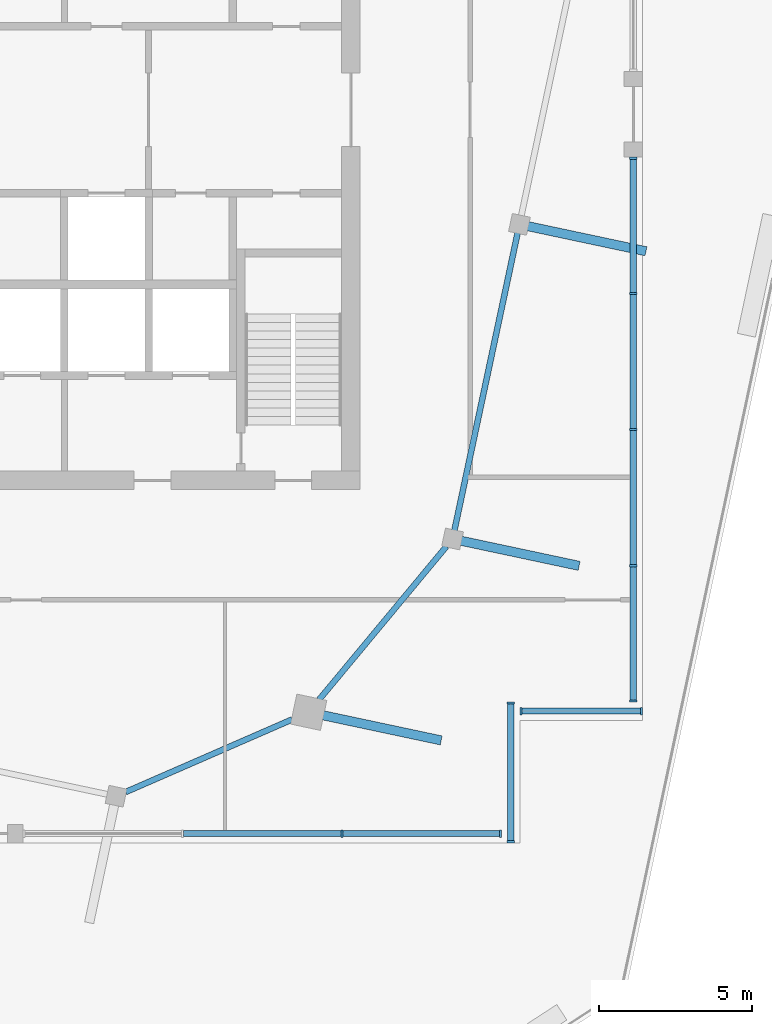
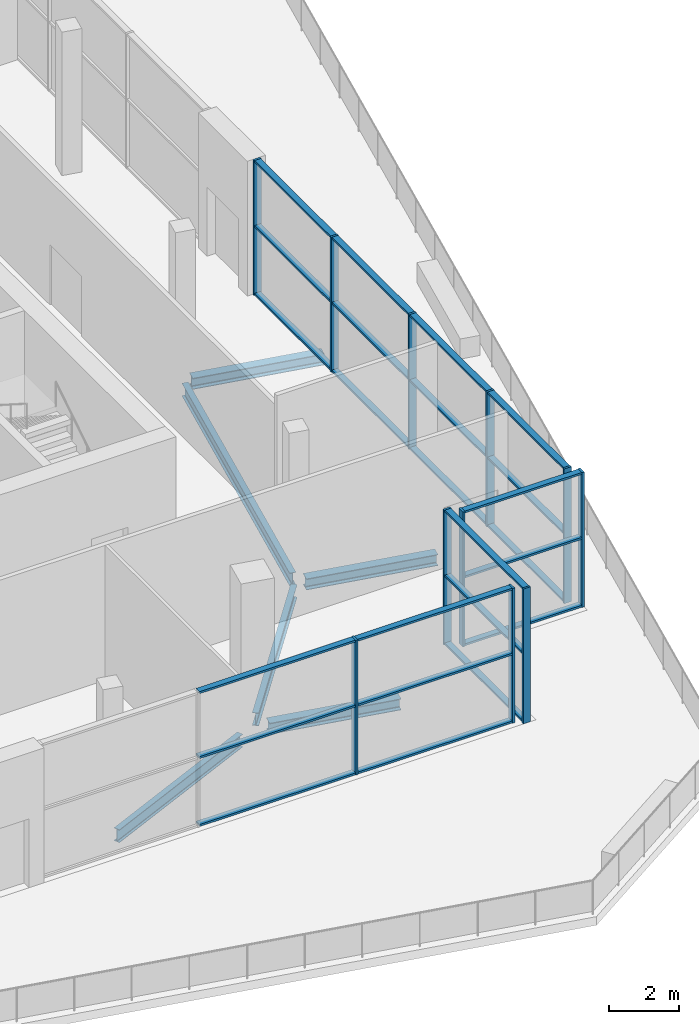
# One storey, part 3 of 14: 35 members, 6 beams, 4 elements without a shape of their own.
"""IFC4 building model written with IfcOpenShell, lengths in metres."""

from ifc_helpers import new_model, si_unit, direction, frame, origin, origin_2d, place, context, subcontext, project, spatial, rectangle, i_section, extrude, material, material_profile, profile_set, type_object, element, aggregate, save


model = new_model("IFC4")

# Units and contexts
model_context = context("Model", 3, precision=1e-05, world=origin(), true_north=direction((0.0, 1.0)))
body_context = subcontext(model_context, "Body", "Model", "MODEL_VIEW")
ifc_project = project(units=[si_unit("LENGTHUNIT", "METRE"), si_unit("AREAUNIT", "SQUARE_METRE"), si_unit("VOLUMEUNIT", "CUBIC_METRE"), si_unit("PLANEANGLEUNIT", "RADIAN"), si_unit("MASSUNIT", "GRAM", prefix="KILO")], contexts=[model_context])

# Site, building, storey
site_placement = place(None, origin())
site = spatial("IfcSite", under=ifc_project, at=site_placement, CompositionType="ELEMENT")
building_placement = place(site_placement, origin())
building = spatial("IfcBuilding", under=site, at=building_placement, Name="Dilmun Exchange Tower", CompositionType="ELEMENT")
storey_placement = place(building_placement, frame((0.0, 0.0, 368.10009765625)))
storey = spatial("IfcBuildingStorey", under=building, at=storey_placement, Name="Crown L86", CompositionType="ELEMENT", Elevation=368.10009765625)

# Curtain wall, members
ifc_material_1 = material(Name="Anodised aluminium and clear glass", Category="aluminium")
curtain_wall_type = type_object("IfcCurtainWallType", Name="Observation lounge glazing", PredefinedType="NOTDEFINED", material=ifc_material_1)
curtain_wall_1_placement = place(storey_placement, origin())
curtain_wall_1 = element("IfcCurtainWall", 1, at=curtain_wall_1_placement, inside=storey, type_object=curtain_wall_type, Name="Observation lounge glazing run OL9.E", PredefinedType="NOTDEFINED")
ifc_material_2 = material(Name="Anodised aluminium", Category="aluminium")
ifc_material_profile_1 = material_profile(ifc_material_2, rectangle(XDim=0.239990234375, YDim=0.070068359375, at=origin_2d()), Name="AL 70x240")
ifc_profile_set_1 = profile_set([ifc_material_profile_1], Name="Anodised aluminium")
member_type_1 = type_object("IfcMemberType", Name="Observation lounge glazing mullion 70 x 240", PredefinedType="MULLION", material=ifc_profile_set_1)
member_1_placement = place(storey_placement, frame((11.815673828125, -23.63427734375, 0.0), z_axis=(0.0, 0.0, 1.0), x_axis=(0.0, 1.0, 0.0)))
member_1 = element("IfcMember", 2, at=member_1_placement, type_object=member_type_1, Name="OL9.E mullion 3", PredefinedType="MULLION", context=body_context, shape_type="SweptSolid", body=[
    extrude(rectangle(XDim=0.239990234375, YDim=0.070068359375, at=origin_2d()), origin(), (0.0, 0.0, 1.0), 4.699951171875),
])
member_2_placement = place(storey_placement, frame((16.988525390625, -23.63427734375, 0.0), z_axis=(0.0, 0.0, 1.0), x_axis=(0.0, 1.0, 0.0)))
member_2 = element("IfcMember", 3, at=member_2_placement, type_object=member_type_1, Name="OL9.E mullion 4", PredefinedType="MULLION", context=body_context, shape_type="SweptSolid", body=[
    extrude(rectangle(XDim=0.239990234375, YDim=0.070068359375, at=origin_2d()), origin(), (0.0, 0.0, 1.0), 4.699951171875),
])

curtain_wall_2_placement = place(storey_placement, origin())
curtain_wall_2 = element("IfcCurtainWall", 4, at=curtain_wall_2_placement, inside=storey, type_object=curtain_wall_type, Name="Observation lounge glazing run OL10", PredefinedType="NOTDEFINED")
member_3_placement = place(storey_placement, frame((17.323486328125, -23.899169921875, 0.0), z_axis=(0.0, 0.0, 1.0), x_axis=(-1.0, 0.0, 0.0)))
member_3 = element("IfcMember", 5, at=member_3_placement, type_object=member_type_1, Name="OL10 mullion 1", PredefinedType="MULLION", context=body_context, shape_type="SweptSolid", body=[
    extrude(rectangle(XDim=0.239990234375, YDim=0.070068359375, at=origin_2d()), origin(), (0.0, 0.0, 1.0), 4.699951171875),
])
member_4_placement = place(storey_placement, frame((17.323486328125, -19.369140625, 0.0), z_axis=(0.0, 0.0, 1.0), x_axis=(-1.0, 0.0, 0.0)))
member_4 = element("IfcMember", 6, at=member_4_placement, type_object=member_type_1, Name="OL10 mullion 2", PredefinedType="MULLION", context=body_context, shape_type="SweptSolid", body=[
    extrude(rectangle(XDim=0.239990234375, YDim=0.070068359375, at=origin_2d()), origin(), (0.0, 0.0, 1.0), 4.699951171875),
])

curtain_wall_3_placement = place(storey_placement, origin())
curtain_wall_3 = element("IfcCurtainWall", 7, at=curtain_wall_3_placement, inside=storey, type_object=curtain_wall_type, Name="Observation lounge glazing run OL11", PredefinedType="NOTDEFINED")
member_5_placement = place(storey_placement, frame((17.658447265625, -19.63427734375, 0.0), z_axis=(0.0, 0.0, 1.0), x_axis=(0.0, 1.0, 0.0)))
member_5 = element("IfcMember", 8, at=member_5_placement, type_object=member_type_1, Name="OL11 mullion 1", PredefinedType="MULLION", context=body_context, shape_type="SweptSolid", body=[
    extrude(rectangle(XDim=0.239990234375, YDim=0.070068359375, at=origin_2d()), origin(), (0.0, 0.0, 1.0), 4.699951171875),
])
member_6_placement = place(storey_placement, frame((21.58837890625, -19.63427734375, 0.0), z_axis=(0.0, 0.0, 1.0), x_axis=(0.0, 1.0, 0.0)))
member_6 = element("IfcMember", 9, at=member_6_placement, type_object=member_type_1, Name="OL11 mullion 2", PredefinedType="MULLION", context=body_context, shape_type="SweptSolid", body=[
    extrude(rectangle(XDim=0.239990234375, YDim=0.070068359375, at=origin_2d()), origin(), (0.0, 0.0, 1.0), 4.699951171875),
])

curtain_wall_4_placement = place(storey_placement, origin())
curtain_wall_4 = element("IfcCurtainWall", 10, at=curtain_wall_4_placement, inside=storey, type_object=curtain_wall_type, Name="Observation lounge glazing run OL12.1", PredefinedType="NOTDEFINED")
member_7_placement = place(storey_placement, frame((21.323486328125, -19.29931640625, 0.0), z_axis=(0.0, 0.0, 1.0), x_axis=(-1.0, 0.0, 0.0)))
member_7 = element("IfcMember", 11, at=member_7_placement, type_object=member_type_1, Name="OL12.1 mullion 1", PredefinedType="MULLION", context=body_context, shape_type="SweptSolid", body=[
    extrude(rectangle(XDim=0.239990234375, YDim=0.070068359375, at=origin_2d()), origin(), (0.0, 0.0, 1.0), 4.699951171875),
])
member_8_placement = place(storey_placement, frame((21.323486328125, -14.887451171875, 0.0), z_axis=(0.0, 0.0, 1.0), x_axis=(-1.0, 0.0, 0.0)))
member_8 = element("IfcMember", 12, at=member_8_placement, type_object=member_type_1, Name="OL12.1 mullion 2", PredefinedType="MULLION", context=body_context, shape_type="SweptSolid", body=[
    extrude(rectangle(XDim=0.239990234375, YDim=0.070068359375, at=origin_2d()), origin(), (0.0, 0.0, 1.0), 4.699951171875),
])
member_9_placement = place(storey_placement, frame((21.323486328125, -10.440673828125, 0.0), z_axis=(0.0, 0.0, 1.0), x_axis=(-1.0, 0.0, 0.0)))
member_9 = element("IfcMember", 13, at=member_9_placement, type_object=member_type_1, Name="OL12.1 mullion 3", PredefinedType="MULLION", context=body_context, shape_type="SweptSolid", body=[
    extrude(rectangle(XDim=0.239990234375, YDim=0.070068359375, at=origin_2d()), origin(), (0.0, 0.0, 1.0), 4.699951171875),
])
member_10_placement = place(storey_placement, frame((21.323486328125, -5.993896484375, 0.0), z_axis=(0.0, 0.0, 1.0), x_axis=(-1.0, 0.0, 0.0)))
member_10 = element("IfcMember", 14, at=member_10_placement, type_object=member_type_1, Name="OL12.1 mullion 4", PredefinedType="MULLION", context=body_context, shape_type="SweptSolid", body=[
    extrude(rectangle(XDim=0.239990234375, YDim=0.070068359375, at=origin_2d()), origin(), (0.0, 0.0, 1.0), 4.699951171875),
])
member_11_placement = place(storey_placement, frame((21.323486328125, -1.58203125, 0.0), z_axis=(0.0, 0.0, 1.0), x_axis=(-1.0, 0.0, 0.0)))
member_11 = element("IfcMember", 15, at=member_11_placement, type_object=member_type_1, Name="OL12.1 mullion 5", PredefinedType="MULLION", context=body_context, shape_type="SweptSolid", body=[
    extrude(rectangle(XDim=0.239990234375, YDim=0.070068359375, at=origin_2d()), origin(), (0.0, 0.0, 1.0), 4.699951171875),
])

# Member
ifc_material_profile_2 = material_profile(ifc_material_2, rectangle(XDim=0.199951171875, YDim=0.070068359375, at=origin_2d()), Name="AL 70x200")
ifc_profile_set_2 = profile_set([ifc_material_profile_2], Name="Anodised aluminium")
member_type_2 = type_object("IfcMemberType", Name="Observation lounge glazing transom 70 x 200", PredefinedType="USERDEFINED", material=ifc_profile_set_2)
member_12_placement = place(storey_placement, frame((6.642822265625, -23.63427734375, 0.034912109375), z_axis=(1.0, 0.0, 0.0), x_axis=(0.0, 1.0, 0.0)))
member_12 = element("IfcMember", 16, at=member_12_placement, type_object=member_type_2, Name="OL9.E transom 2.1", ObjectType="TRANSOM", PredefinedType="USERDEFINED", context=body_context, shape_type="SweptSolid", body=[
    extrude(rectangle(XDim=0.199951171875, YDim=0.070068359375, at=origin_2d()), origin(), (0.0, 0.0, 1.0), 5.137939453125),
])

member_13_placement = place(storey_placement, frame((6.642822265625, -23.63427734375, 2.39990234375), z_axis=(1.0, 0.0, 0.0), x_axis=(0.0, 1.0, 0.0)))
member_13 = element("IfcMember", 17, at=member_13_placement, type_object=member_type_2, Name="OL9.E transom 2.2", ObjectType="TRANSOM", PredefinedType="USERDEFINED", context=body_context, shape_type="SweptSolid", body=[
    extrude(rectangle(XDim=0.199951171875, YDim=0.070068359375, at=origin_2d()), origin(), (0.0, 0.0, 1.0), 5.137939453125),
])

member_14_placement = place(storey_placement, frame((6.642822265625, -23.63427734375, 4.664794921875), z_axis=(1.0, 0.0, 0.0), x_axis=(0.0, 1.0, 0.0)))
member_14 = element("IfcMember", 18, at=member_14_placement, type_object=member_type_2, Name="OL9.E transom 2.3", ObjectType="TRANSOM", PredefinedType="USERDEFINED", context=body_context, shape_type="SweptSolid", body=[
    extrude(rectangle(XDim=0.199951171875, YDim=0.070068359375, at=origin_2d()), origin(), (0.0, 0.0, 1.0), 5.137939453125),
])

member_15_placement = place(storey_placement, frame((11.8505859375, -23.63427734375, 0.034912109375), z_axis=(1.0, 0.0, 0.0), x_axis=(0.0, 1.0, 0.0)))
member_15 = element("IfcMember", 19, at=member_15_placement, type_object=member_type_2, Name="OL9.E transom 3.1", ObjectType="TRANSOM", PredefinedType="USERDEFINED", context=body_context, shape_type="SweptSolid", body=[
    extrude(rectangle(XDim=0.199951171875, YDim=0.070068359375, at=origin_2d()), origin(), (0.0, 0.0, 1.0), 5.10302734375),
])

member_16_placement = place(storey_placement, frame((11.8505859375, -23.63427734375, 2.39990234375), z_axis=(1.0, 0.0, 0.0), x_axis=(0.0, 1.0, 0.0)))
member_16 = element("IfcMember", 20, at=member_16_placement, type_object=member_type_2, Name="OL9.E transom 3.2", ObjectType="TRANSOM", PredefinedType="USERDEFINED", context=body_context, shape_type="SweptSolid", body=[
    extrude(rectangle(XDim=0.199951171875, YDim=0.070068359375, at=origin_2d()), origin(), (0.0, 0.0, 1.0), 5.10302734375),
])

member_17_placement = place(storey_placement, frame((11.8505859375, -23.63427734375, 4.664794921875), z_axis=(1.0, 0.0, 0.0), x_axis=(0.0, 1.0, 0.0)))
member_17 = element("IfcMember", 21, at=member_17_placement, type_object=member_type_2, Name="OL9.E transom 3.3", ObjectType="TRANSOM", PredefinedType="USERDEFINED", context=body_context, shape_type="SweptSolid", body=[
    extrude(rectangle(XDim=0.199951171875, YDim=0.070068359375, at=origin_2d()), origin(), (0.0, 0.0, 1.0), 5.10302734375),
])

aggregate(curtain_wall_1, [member_1, member_2, member_12, member_13, member_14, member_15, member_16, member_17])

member_18_placement = place(storey_placement, frame((17.323486328125, -23.8642578125, 0.034912109375), z_axis=(0.0, 1.0, 0.0), x_axis=(-1.0, 0.0, 0.0)))
member_18 = element("IfcMember", 22, at=member_18_placement, type_object=member_type_2, Name="OL10 transom 1.1", ObjectType="TRANSOM", PredefinedType="USERDEFINED", context=body_context, shape_type="SweptSolid", body=[
    extrude(rectangle(XDim=0.199951171875, YDim=0.070068359375, at=origin_2d()), origin(), (0.0, 0.0, 1.0), 4.4599609375),
])

member_19_placement = place(storey_placement, frame((17.323486328125, -23.8642578125, 2.39990234375), z_axis=(0.0, 1.0, 0.0), x_axis=(-1.0, 0.0, 0.0)))
member_19 = element("IfcMember", 23, at=member_19_placement, type_object=member_type_2, Name="OL10 transom 1.2", ObjectType="TRANSOM", PredefinedType="USERDEFINED", context=body_context, shape_type="SweptSolid", body=[
    extrude(rectangle(XDim=0.199951171875, YDim=0.070068359375, at=origin_2d()), origin(), (0.0, 0.0, 1.0), 4.4599609375),
])

member_20_placement = place(storey_placement, frame((17.323486328125, -23.8642578125, 4.664794921875), z_axis=(0.0, 1.0, 0.0), x_axis=(-1.0, 0.0, 0.0)))
member_20 = element("IfcMember", 24, at=member_20_placement, type_object=member_type_2, Name="OL10 transom 1.3", ObjectType="TRANSOM", PredefinedType="USERDEFINED", context=body_context, shape_type="SweptSolid", body=[
    extrude(rectangle(XDim=0.199951171875, YDim=0.070068359375, at=origin_2d()), origin(), (0.0, 0.0, 1.0), 4.4599609375),
])

aggregate(curtain_wall_2, [member_3, member_4, member_18, member_19, member_20])

member_21_placement = place(storey_placement, frame((17.693603515625, -19.63427734375, 0.034912109375), z_axis=(1.0, 0.0, 0.0), x_axis=(0.0, 1.0, 0.0)))
member_21 = element("IfcMember", 25, at=member_21_placement, type_object=member_type_2, Name="OL11 transom 1.1", ObjectType="TRANSOM", PredefinedType="USERDEFINED", context=body_context, shape_type="SweptSolid", body=[
    extrude(rectangle(XDim=0.199951171875, YDim=0.070068359375, at=origin_2d()), origin(), (0.0, 0.0, 1.0), 3.85986328125),
])

member_22_placement = place(storey_placement, frame((17.693603515625, -19.63427734375, 2.39990234375), z_axis=(1.0, 0.0, 0.0), x_axis=(0.0, 1.0, 0.0)))
member_22 = element("IfcMember", 26, at=member_22_placement, type_object=member_type_2, Name="OL11 transom 1.2", ObjectType="TRANSOM", PredefinedType="USERDEFINED", context=body_context, shape_type="SweptSolid", body=[
    extrude(rectangle(XDim=0.199951171875, YDim=0.070068359375, at=origin_2d()), origin(), (0.0, 0.0, 1.0), 3.85986328125),
])

member_23_placement = place(storey_placement, frame((17.693603515625, -19.63427734375, 4.664794921875), z_axis=(1.0, 0.0, 0.0), x_axis=(0.0, 1.0, 0.0)))
member_23 = element("IfcMember", 27, at=member_23_placement, type_object=member_type_2, Name="OL11 transom 1.3", ObjectType="TRANSOM", PredefinedType="USERDEFINED", context=body_context, shape_type="SweptSolid", body=[
    extrude(rectangle(XDim=0.199951171875, YDim=0.070068359375, at=origin_2d()), origin(), (0.0, 0.0, 1.0), 3.85986328125),
])

aggregate(curtain_wall_3, [member_5, member_6, member_21, member_22, member_23])

member_24_placement = place(storey_placement, frame((21.323486328125, -19.26416015625, 0.034912109375), z_axis=(0.0, 1.0, 0.0), x_axis=(-1.0, 0.0, 0.0)))
member_24 = element("IfcMember", 28, at=member_24_placement, type_object=member_type_2, Name="OL12.1 transom 1.1", ObjectType="TRANSOM", PredefinedType="USERDEFINED", context=body_context, shape_type="SweptSolid", body=[
    extrude(rectangle(XDim=0.199951171875, YDim=0.070068359375, at=origin_2d()), origin(), (0.0, 0.0, 1.0), 4.341796875),
])

member_25_placement = place(storey_placement, frame((21.323486328125, -19.26416015625, 2.39990234375), z_axis=(0.0, 1.0, 0.0), x_axis=(-1.0, 0.0, 0.0)))
member_25 = element("IfcMember", 29, at=member_25_placement, type_object=member_type_2, Name="OL12.1 transom 1.2", ObjectType="TRANSOM", PredefinedType="USERDEFINED", context=body_context, shape_type="SweptSolid", body=[
    extrude(rectangle(XDim=0.199951171875, YDim=0.070068359375, at=origin_2d()), origin(), (0.0, 0.0, 1.0), 4.341796875),
])

member_26_placement = place(storey_placement, frame((21.323486328125, -19.26416015625, 4.664794921875), z_axis=(0.0, 1.0, 0.0), x_axis=(-1.0, 0.0, 0.0)))
member_26 = element("IfcMember", 30, at=member_26_placement, type_object=member_type_2, Name="OL12.1 transom 1.3", ObjectType="TRANSOM", PredefinedType="USERDEFINED", context=body_context, shape_type="SweptSolid", body=[
    extrude(rectangle(XDim=0.199951171875, YDim=0.070068359375, at=origin_2d()), origin(), (0.0, 0.0, 1.0), 4.341796875),
])

member_27_placement = place(storey_placement, frame((21.323486328125, -14.852294921875, 0.034912109375), z_axis=(0.0, 1.0, 0.0), x_axis=(-1.0, 0.0, 0.0)))
member_27 = element("IfcMember", 31, at=member_27_placement, type_object=member_type_2, Name="OL12.1 transom 2.1", ObjectType="TRANSOM", PredefinedType="USERDEFINED", context=body_context, shape_type="SweptSolid", body=[
    extrude(rectangle(XDim=0.199951171875, YDim=0.070068359375, at=origin_2d()), origin(), (0.0, 0.0, 1.0), 4.376708984375),
])

member_28_placement = place(storey_placement, frame((21.323486328125, -14.852294921875, 2.39990234375), z_axis=(0.0, 1.0, 0.0), x_axis=(-1.0, 0.0, 0.0)))
member_28 = element("IfcMember", 32, at=member_28_placement, type_object=member_type_2, Name="OL12.1 transom 2.2", ObjectType="TRANSOM", PredefinedType="USERDEFINED", context=body_context, shape_type="SweptSolid", body=[
    extrude(rectangle(XDim=0.199951171875, YDim=0.070068359375, at=origin_2d()), origin(), (0.0, 0.0, 1.0), 4.376708984375),
])

member_29_placement = place(storey_placement, frame((21.323486328125, -14.852294921875, 4.664794921875), z_axis=(0.0, 1.0, 0.0), x_axis=(-1.0, 0.0, 0.0)))
member_29 = element("IfcMember", 33, at=member_29_placement, type_object=member_type_2, Name="OL12.1 transom 2.3", ObjectType="TRANSOM", PredefinedType="USERDEFINED", context=body_context, shape_type="SweptSolid", body=[
    extrude(rectangle(XDim=0.199951171875, YDim=0.070068359375, at=origin_2d()), origin(), (0.0, 0.0, 1.0), 4.376708984375),
])

member_30_placement = place(storey_placement, frame((21.323486328125, -10.405517578125, 0.034912109375), z_axis=(0.0, 1.0, 0.0), x_axis=(-1.0, 0.0, 0.0)))
member_30 = element("IfcMember", 34, at=member_30_placement, type_object=member_type_2, Name="OL12.1 transom 3.1", ObjectType="TRANSOM", PredefinedType="USERDEFINED", context=body_context, shape_type="SweptSolid", body=[
    extrude(rectangle(XDim=0.199951171875, YDim=0.070068359375, at=origin_2d()), origin(), (0.0, 0.0, 1.0), 4.376708984375),
])

member_31_placement = place(storey_placement, frame((21.323486328125, -10.405517578125, 2.39990234375), z_axis=(0.0, 1.0, 0.0), x_axis=(-1.0, 0.0, 0.0)))
member_31 = element("IfcMember", 35, at=member_31_placement, type_object=member_type_2, Name="OL12.1 transom 3.2", ObjectType="TRANSOM", PredefinedType="USERDEFINED", context=body_context, shape_type="SweptSolid", body=[
    extrude(rectangle(XDim=0.199951171875, YDim=0.070068359375, at=origin_2d()), origin(), (0.0, 0.0, 1.0), 4.376708984375),
])

member_32_placement = place(storey_placement, frame((21.323486328125, -10.405517578125, 4.664794921875), z_axis=(0.0, 1.0, 0.0), x_axis=(-1.0, 0.0, 0.0)))
member_32 = element("IfcMember", 36, at=member_32_placement, type_object=member_type_2, Name="OL12.1 transom 3.3", ObjectType="TRANSOM", PredefinedType="USERDEFINED", context=body_context, shape_type="SweptSolid", body=[
    extrude(rectangle(XDim=0.199951171875, YDim=0.070068359375, at=origin_2d()), origin(), (0.0, 0.0, 1.0), 4.376708984375),
])

member_33_placement = place(storey_placement, frame((21.323486328125, -5.958740234375, 0.034912109375), z_axis=(0.0, 1.0, 0.0), x_axis=(-1.0, 0.0, 0.0)))
member_33 = element("IfcMember", 37, at=member_33_placement, type_object=member_type_2, Name="OL12.1 transom 4.1", ObjectType="TRANSOM", PredefinedType="USERDEFINED", context=body_context, shape_type="SweptSolid", body=[
    extrude(rectangle(XDim=0.199951171875, YDim=0.070068359375, at=origin_2d()), origin(), (0.0, 0.0, 1.0), 4.341796875),
])

member_34_placement = place(storey_placement, frame((21.323486328125, -5.958740234375, 2.39990234375), z_axis=(0.0, 1.0, 0.0), x_axis=(-1.0, 0.0, 0.0)))
member_34 = element("IfcMember", 38, at=member_34_placement, type_object=member_type_2, Name="OL12.1 transom 4.2", ObjectType="TRANSOM", PredefinedType="USERDEFINED", context=body_context, shape_type="SweptSolid", body=[
    extrude(rectangle(XDim=0.199951171875, YDim=0.070068359375, at=origin_2d()), origin(), (0.0, 0.0, 1.0), 4.341796875),
])

member_35_placement = place(storey_placement, frame((21.323486328125, -5.958740234375, 4.664794921875), z_axis=(0.0, 1.0, 0.0), x_axis=(-1.0, 0.0, 0.0)))
member_35 = element("IfcMember", 39, at=member_35_placement, type_object=member_type_2, Name="OL12.1 transom 4.3", ObjectType="TRANSOM", PredefinedType="USERDEFINED", context=body_context, shape_type="SweptSolid", body=[
    extrude(rectangle(XDim=0.199951171875, YDim=0.070068359375, at=origin_2d()), origin(), (0.0, 0.0, 1.0), 4.341796875),
])

aggregate(curtain_wall_4, [member_7, member_8, member_9, member_10, member_11, member_24, member_25, member_26, member_27, member_28, member_29, member_30, member_31, member_32, member_33, member_34, member_35])

# Beams
ifc_material_3 = material(Name="Steel S355", Category="steel")
ifc_material_profile_3 = material_profile(ifc_material_3, i_section(OverallWidth=0.300048828125, OverallDepth=0.389892578125, WebThickness=0.010986328125, FlangeThickness=0.01904296875, FilletRadius=0.027099609375, at=origin_2d()), Name="HEA 400")
ifc_profile_set_3 = profile_set([ifc_material_profile_3], Name="Steel S355")
beam_type_1 = type_object("IfcBeamType", Name="crown cantilever beam HEA 400", PredefinedType="BEAM", material=ifc_profile_set_3)
beam_1_placement = place(storey_placement, frame((11.187744140625, -19.768310546875, -0.4951171875), z_axis=(0.978143924908, -0.207928983469, 0.0), x_axis=(0.207928983469, 0.978143924908, 0.0)))
element("IfcBeam", 40, at=beam_1_placement, inside=storey, type_object=beam_type_1, Name="Crown cantilever beam 9", PredefinedType="BEAM", context=body_context, shape_type="SweptSolid", body=[
    extrude(i_section(OverallWidth=0.300048828125, OverallDepth=0.389892578125, WebThickness=0.010986328125, FlangeThickness=0.01904296875, FilletRadius=0.027099609375, at=origin_2d()), origin(), (0.0, 0.0, 1.0), 3.949951171875),
])
for number, where, z_axis, x_axis, name in (
    (41, (15.69091796875, -14.06982421875, -0.4951171875), (0.978146596989, -0.207916413008, 0.0), (0.207916413008, 0.978146596989, 0.0), "Crown cantilever beam 10"),
    (42, (17.8740234375, -3.798828125, -0.4951171875), (0.978146596989, -0.207916413008, 0.0), (0.207916413008, 0.978146596989, 0.0), "Crown cantilever beam 11"),
):
    element("IfcBeam", number, at=place(storey_placement, frame(where, z_axis=z_axis, x_axis=x_axis)), inside=storey, type_object=beam_type_1, Name=name, PredefinedType="BEAM", context=body_context, shape_type="SweptSolid", body=[
        extrude(i_section(OverallWidth=0.300048828125, OverallDepth=0.389892578125, WebThickness=0.010986328125, FlangeThickness=0.01904296875, FilletRadius=0.027099609375, at=origin_2d()), origin(), (0.0, 0.0, 1.0), 3.9501953125),
    ])
ifc_material_profile_4 = material_profile(ifc_material_3, i_section(OverallWidth=0.18994140625, OverallDepth=0.449951171875, WebThickness=0.009521484375, FlangeThickness=0.0146484375, FilletRadius=0.02099609375, at=origin_2d()), Name="IPE 450")
ifc_profile_set_4 = profile_set([ifc_material_profile_4], Name="Steel S355")
beam_type_2 = type_object("IfcBeamType", Name="crown ring beam IPE 450", PredefinedType="BEAM", material=ifc_profile_set_4)
beam_2_placement = place(storey_placement, frame((4.750244140625, -22.275390625, -0.525146484375), z_axis=(0.916630994698, 0.399734436294, 0.0), x_axis=(-0.399734436294, 0.916630994698, 0.0)))
element("IfcBeam", 43, at=beam_2_placement, inside=storey, type_object=beam_type_2, Name="Crown ring beam 8", PredefinedType="BEAM", context=body_context, shape_type="SweptSolid", body=[
    extrude(i_section(OverallWidth=0.18994140625, OverallDepth=0.449951171875, WebThickness=0.009521484375, FlangeThickness=0.0146484375, FilletRadius=0.02099609375, at=origin_2d()), origin(), (0.0, 0.0, 1.0), 5.930419921875),
])
beam_3_placement = place(storey_placement, frame((11.068603515625, -19.25634765625, -0.525146484375), z_axis=(0.638957852537, 0.76924174528, 0.0), x_axis=(-0.76924174528, 0.638957852537, 0.0)))
element("IfcBeam", 44, at=beam_3_placement, inside=storey, type_object=beam_type_2, Name="Crown ring beam 9", PredefinedType="BEAM", context=body_context, shape_type="SweptSolid", body=[
    extrude(i_section(OverallWidth=0.18994140625, OverallDepth=0.449951171875, WebThickness=0.009521484375, FlangeThickness=0.0146484375, FilletRadius=0.02099609375, at=origin_2d()), origin(), (0.0, 0.0, 1.0), 6.50439453125),
])
beam_4_placement = place(storey_placement, frame((15.480712890625, -13.74609375, -0.525146484375), z_axis=(0.207902460752, 0.978149562599, 0.0), x_axis=(-0.978149562599, 0.207902460752, 0.0)))
element("IfcBeam", 45, at=beam_4_placement, inside=storey, type_object=beam_type_2, Name="Crown ring beam 10", PredefinedType="BEAM", context=body_context, shape_type="SweptSolid", body=[
    extrude(i_section(OverallWidth=0.18994140625, OverallDepth=0.449951171875, WebThickness=0.009521484375, FlangeThickness=0.0146484375, FilletRadius=0.02099609375, at=origin_2d()), origin(), (0.0, 0.0, 1.0), 9.95458984375),
])

save(model, "model.ifc")
